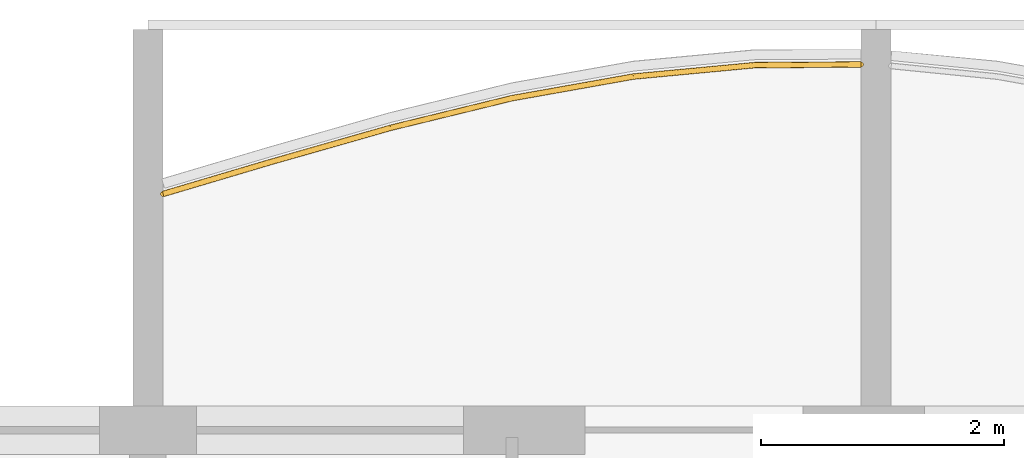
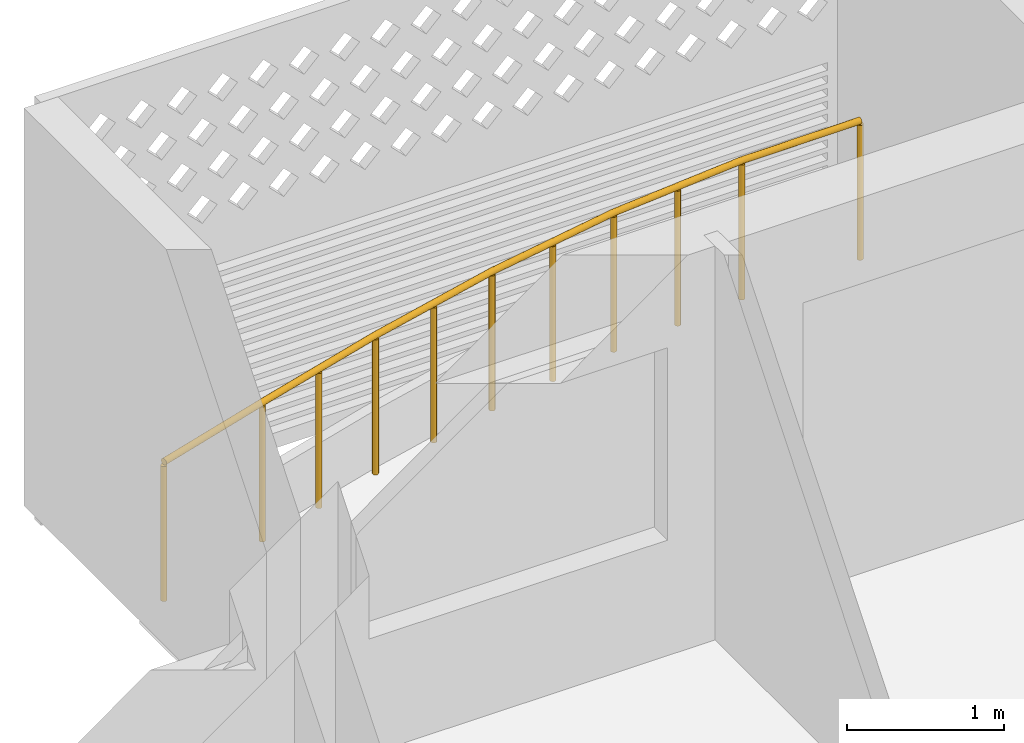
# One storey, part 28 of 33: 1 railing.
"""IFC4 building model written with IfcOpenShell, lengths in metres."""

from ifc_helpers import new_model, si_unit, direction, frame, origin, origin_2d, place, context, subcontext, project, spatial, circle, extrude, material, type_object, element, save


model = new_model("IFC4")

# Units and contexts
model_context = context("Model", 3, precision=1e-05, world=origin(), true_north=direction((0.0, 1.0)))
body_context = subcontext(model_context, "Body", "Model", "MODEL_VIEW")
ifc_project = project(units=[si_unit("LENGTHUNIT", "METRE"), si_unit("AREAUNIT", "SQUARE_METRE"), si_unit("VOLUMEUNIT", "CUBIC_METRE"), si_unit("PLANEANGLEUNIT", "RADIAN"), si_unit("MASSUNIT", "GRAM", prefix="KILO")], contexts=[model_context])

# Site, building, storey
site_placement = place(None, origin())
site = spatial("IfcSite", under=ifc_project, at=site_placement, CompositionType="ELEMENT")
building_placement = place(site_placement, origin())
building = spatial("IfcBuilding", under=site, at=building_placement, Name="Poui Terraces", CompositionType="ELEMENT")
storey_placement = place(building_placement, frame((0.0, 0.0, 132.300048828125)))
storey = spatial("IfcBuildingStorey", under=building, at=storey_placement, Name="L36", CompositionType="ELEMENT", Elevation=132.300048828125)

# Railing
ifc_material = material(Name="Painted steel fretwork", Category="steel")
railing_type = type_object("IfcRailingType", Name="BALCONY GUARD 1100", PredefinedType="GUARDRAIL", material=ifc_material)
railing_placement = place(storey_placement, frame((66.125, 44.3466796875, 0.0)))
element("IfcRailing", 1, at=railing_placement, inside=storey, type_object=railing_type, Name="BALCONY GUARD", PredefinedType="GUARDRAIL", context=body_context, shape_type="SweptSolid", body=[
    extrude(circle(Radius=0.02392578125, at=origin_2d()), frame((0.0, 0.0, 1.076171875), z_axis=(0.958646866278, 0.284598288426, 0.0), x_axis=(-0.284598288426, 0.958646866278, 0.0)), (0.0, 0.0, 1.0), 0.912841796875),
    extrude(circle(Radius=0.02392578125, at=origin_2d()), frame((0.875, 0.259765625, 1.076171875), z_axis=(0.961665574586, 0.274224949003, 0.0), x_axis=(-0.274224949003, 0.961665574586, 0.0)), (0.0, 0.0, 1.0), 1.039794921875),
    extrude(circle(Radius=0.02392578125, at=origin_2d()), frame((1.875, 0.544921875, 1.076171875), z_axis=(0.971467046504, 0.2371745719, 0.0), x_axis=(-0.2371745719, 0.971467046504, 0.0)), (0.0, 0.0, 1.0), 1.029296875),
    extrude(circle(Radius=0.02392578125, at=origin_2d()), frame((2.875, 0.7890625, 1.076171875), z_axis=(0.984486939112, 0.175457877332, 0.0), x_axis=(-0.175457877332, 0.984486939112, 0.0)), (0.0, 0.0, 1.0), 1.015869140625),
    extrude(circle(Radius=0.02392578125, at=origin_2d()), frame((3.875, 0.96728515625, 1.076171875), z_axis=(0.9956116077, 0.093581657462, 0.0), x_axis=(-0.093581657462, 0.9956116077, 0.0)), (0.0, 0.0, 1.0), 1.00439453125),
    extrude(circle(Radius=0.02392578125, at=origin_2d()), frame((4.875, 1.061279296875, 1.076171875), z_axis=(0.999981160599, 0.006138277213, 0.0), x_axis=(-0.006138277213, 0.999981160599, 0.0)), (0.0, 0.0, 1.0), 0.875),
    extrude(circle(Radius=0.02099609375, at=origin_2d()), origin(), (0.0, 0.0, 1.0), 1.052001953125),
    extrude(circle(Radius=0.02099609375, at=origin_2d()), frame((0.875, 0.259765625, 0.0)), (0.0, 0.0, 1.0), 1.052001953125),
    extrude(circle(Radius=0.02099609375, at=origin_2d()), frame((1.375, 0.40234375, 0.0)), (0.0, 0.0, 1.0), 1.052001953125),
    extrude(circle(Radius=0.02099609375, at=origin_2d()), frame((1.875, 0.544921875, 0.0)), (0.0, 0.0, 1.0), 1.052001953125),
    extrude(circle(Radius=0.02099609375, at=origin_2d()), frame((2.375, 0.6669921875, 0.0)), (0.0, 0.0, 1.0), 1.052001953125),
    extrude(circle(Radius=0.02099609375, at=origin_2d()), frame((2.875, 0.7890625, 0.0)), (0.0, 0.0, 1.0), 1.052001953125),
    extrude(circle(Radius=0.02099609375, at=origin_2d()), frame((3.375, 0.878173828125, 0.0)), (0.0, 0.0, 1.0), 1.052001953125),
    extrude(circle(Radius=0.02099609375, at=origin_2d()), frame((3.875, 0.96728515625, 0.0)), (0.0, 0.0, 1.0), 1.052001953125),
    extrude(circle(Radius=0.02099609375, at=origin_2d()), frame((4.375, 1.01416015625, 0.0)), (0.0, 0.0, 1.0), 1.052001953125),
    extrude(circle(Radius=0.02099609375, at=origin_2d()), frame((4.875, 1.061279296875, 0.0)), (0.0, 0.0, 1.0), 1.052001953125),
    extrude(circle(Radius=0.02099609375, at=origin_2d()), frame((5.75, 1.066650390625, 0.0)), (0.0, 0.0, 1.0), 1.052001953125),
])

save(model, "model.ifc")
